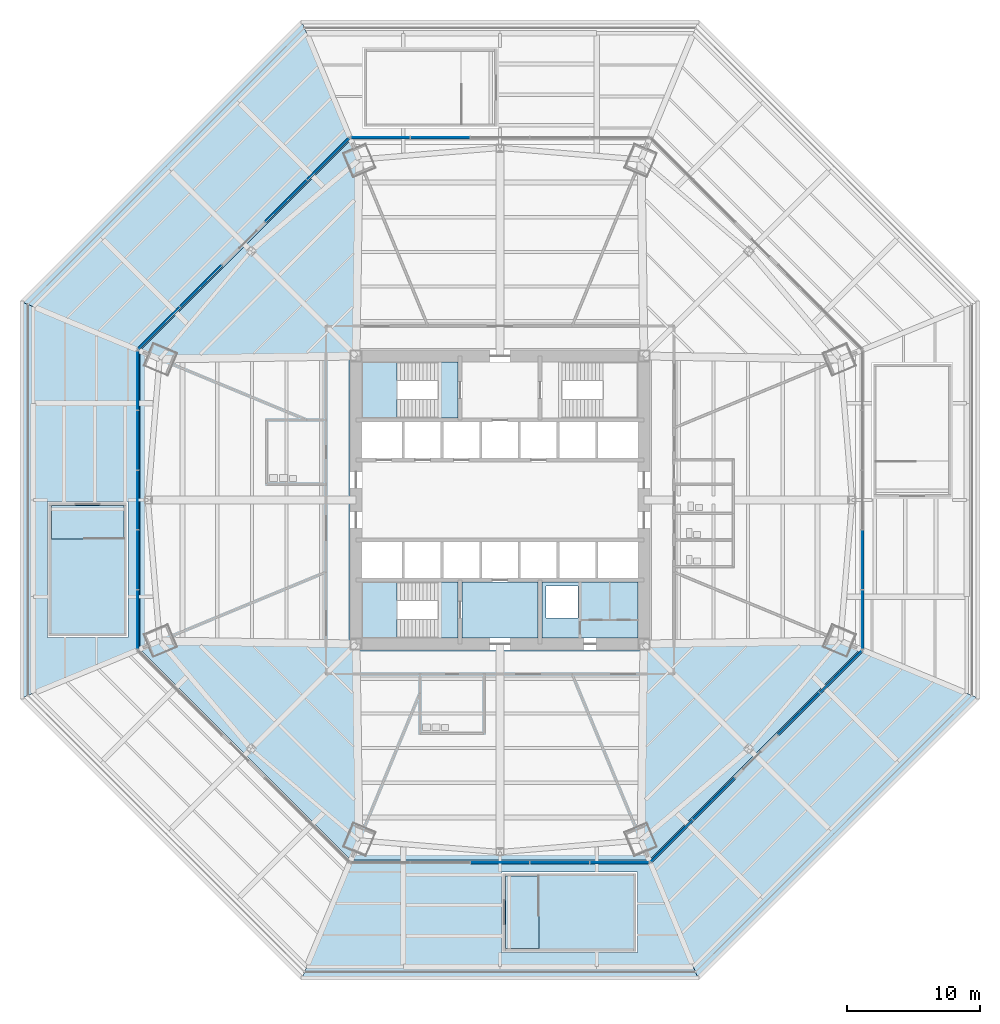
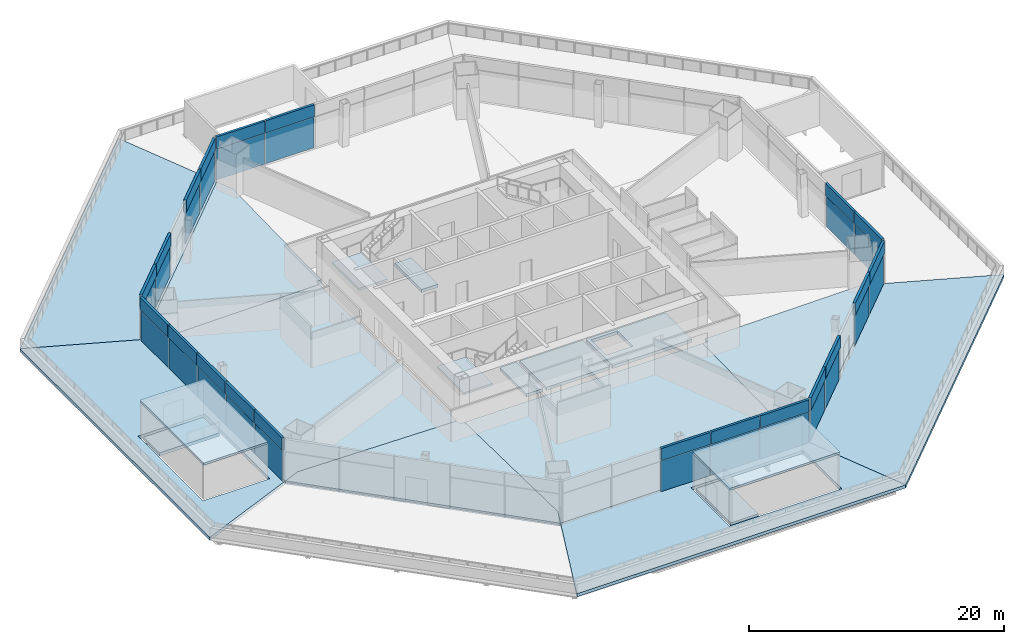
# One storey, part 13 of 25: 40 plates, 19 slabs, 10 elements without a shape of their own.
"""IFC4 building model written with IfcOpenShell, lengths in metres."""

from ifc_helpers import new_model, si_unit, direction, frame, origin, origin_2d, place, context, subcontext, project, spatial, polyline, rectangle, outline, extrude, source, transform, mapped, material, layer, layer_set, type_object, type_shapes, element, aggregate, save


model = new_model("IFC4")

# Units and contexts
model_context = context("Model", 3, precision=1e-05, world=origin(), true_north=direction((0.0, 1.0)))
body_context = subcontext(model_context, "Body", "Model", "MODEL_VIEW")
ifc_project = project(units=[si_unit("LENGTHUNIT", "METRE"), si_unit("AREAUNIT", "SQUARE_METRE"), si_unit("VOLUMEUNIT", "CUBIC_METRE"), si_unit("PLANEANGLEUNIT", "RADIAN"), si_unit("MASSUNIT", "GRAM", prefix="KILO")], contexts=[model_context])

# Site, building, storey
site_placement = place(None, origin())
site = spatial("IfcSite", under=ifc_project, at=site_placement, CompositionType="ELEMENT")
building_placement = place(site_placement, origin())
building = spatial("IfcBuilding", under=site, at=building_placement, Name="Mashrafa Tower", CompositionType="ELEMENT")
storey_placement = place(building_placement, frame((0.0, 0.0, 28.800048828125)))
storey = spatial("IfcBuildingStorey", under=building, at=storey_placement, Name="L05", CompositionType="ELEMENT", Elevation=28.800048828125)

# Slabs
ifc_material_1 = material(Name="Concrete C35/45", Category="concrete")
ifc_layer_1 = layer(ifc_material_1, 0.300048828125)
ifc_layer_set_1 = layer_set([ifc_layer_1], Name="Floor slab 300")
slab_type_1 = type_object("IfcSlabType", Name="Floor slab 300", PredefinedType="FLOOR", material=ifc_layer_set_1)
slab_1_placement = place(storey_placement, frame((0.0, 0.0, -0.300048828125)))
element("IfcSlab", 1, at=slab_1_placement, inside=storey, type_object=slab_type_1, Name="Floor slab L05 north-west bay", PredefinedType="FLOOR", context=body_context, shape_type="SweptSolid", body=[
    extrude(outline(polyline([(-11.183837890625, 27.0), (-10.574951171875, 25.5302734375), (-10.793212890625, 11.25), (-11.25, 11.25), (-11.25, 10.793212890625), (-25.5302734375, 10.574951171875), (-27.0, 11.183837890625), (-11.183837890625, 27.0)])), origin(), (0.0, 0.0, 1.0), 0.300048828125),
])
slab_2_placement = place(storey_placement, frame((0.0, 0.0, -0.300048828125)))
element("IfcSlab", 2, at=slab_2_placement, inside=storey, type_object=slab_type_1, Name="Floor slab L05 west bay", PredefinedType="FLOOR", context=body_context, shape_type="SweptSolid", body=[
    extrude(outline(polyline([(-27.0, -11.183837890625), (-27.0, 11.183837890625), (-27.0, 11.183837890625), (-25.5302734375, 10.574951171875), (-11.25, 10.793212890625), (-11.25, -10.793212890625), (-25.5302734375, -10.574951171875), (-27.0, -11.183837890625), (-27.0, -11.183837890625)])), origin(), (0.0, 0.0, 1.0), 0.300048828125),
])
slab_3_placement = place(storey_placement, frame((0.0, 0.0, -0.300048828125)))
element("IfcSlab", 3, at=slab_3_placement, inside=storey, type_object=slab_type_1, Name="Floor slab L05 south-west bay", PredefinedType="FLOOR", context=body_context, shape_type="SweptSolid", body=[
    extrude(outline(polyline([(-27.0, -11.183837890625), (-25.5302734375, -10.574951171875), (-11.25, -10.793212890625), (-11.25, -11.25), (-10.793212890625, -11.25), (-10.574951171875, -25.5302734375), (-11.183837890625, -27.0), (-27.0, -11.183837890625)])), origin(), (0.0, 0.0, 1.0), 0.300048828125),
])
slab_4_placement = place(storey_placement, frame((0.0, 0.0, -0.300048828125)))
element("IfcSlab", 4, at=slab_4_placement, inside=storey, type_object=slab_type_1, Name="Floor slab L05 south bay", PredefinedType="FLOOR", context=body_context, shape_type="SweptSolid", body=[
    extrude(outline(polyline([(-11.183837890625, -27.0), (-11.183837890625, -27.0), (-10.574951171875, -25.5302734375), (-10.793212890625, -11.25), (10.793212890625, -11.25), (10.574951171875, -25.5302734375), (11.183837890625, -27.0), (11.183837890625, -27.0), (-11.183837890625, -27.0)])), origin(), (0.0, 0.0, 1.0), 0.300048828125),
])
slab_5_placement = place(storey_placement, frame((0.0, 0.0, -0.300048828125)))
element("IfcSlab", 5, at=slab_5_placement, inside=storey, type_object=slab_type_1, Name="Floor slab L05 south-east bay", PredefinedType="FLOOR", context=body_context, shape_type="SweptSolid", body=[
    extrude(outline(polyline([(11.183837890625, -27.0), (10.574951171875, -25.5302734375), (10.793212890625, -11.25), (11.25, -11.25), (11.25, -10.793212890625), (25.5302734375, -10.574951171875), (27.0, -11.183837890625), (11.183837890625, -27.0)])), origin(), (0.0, 0.0, 1.0), 0.300048828125),
])
slab_6_placement = place(storey_placement, frame((0.0, 0.0, -0.300048828125)))
element("IfcSlab", 6, at=slab_6_placement, inside=storey, type_object=slab_type_1, Name="Core floor riser and electrical band L05", PredefinedType="FLOOR", context=body_context, shape_type="SweptSolid", body=[
    extrude(outline(polyline([(10.35009765625, -6.14990234375), (10.35009765625, -10.35009765625), (3.14990234375, -10.35009765625), (3.14990234375, -6.14990234375), (10.35009765625, -6.14990234375)]), holes=[polyline([(3.449951171875, -8.85009765625), (5.85009765625, -8.85009765625), (5.85009765625, -6.449951171875), (3.449951171875, -6.449951171875), (3.449951171875, -8.85009765625)])]), origin(), (0.0, 0.0, 1.0), 0.300048828125),
])
slab_7_placement = place(storey_placement, frame((0.0, 0.0, -0.300048828125)))
element("IfcSlab", 7, at=slab_7_placement, inside=storey, type_object=slab_type_1, Name="Core floor fire-fighting lobby south L05", PredefinedType="FLOOR", context=body_context, shape_type="SweptSolid", body=[
    extrude(outline(polyline([(2.85009765625, -6.14990234375), (2.85009765625, -10.35009765625), (-2.85009765625, -10.35009765625), (-2.85009765625, -6.14990234375), (2.85009765625, -6.14990234375)])), origin(), (0.0, 0.0, 1.0), 0.300048828125),
])
ifc_material_2 = material(Name="Concrete C35/45", Category="concrete")
ifc_layer_2 = layer(ifc_material_2, 0.300048828125)
ifc_layer_set_2 = layer_set([ifc_layer_2], Name="Roof garden slab 300")
slab_type_2 = type_object("IfcSlabType", Name="Roof garden slab 300", PredefinedType="ROOF", material=ifc_layer_set_2)
slab_8_placement = place(storey_placement, frame((0.0, 0.0, -0.300048828125)))
element("IfcSlab", 8, at=slab_8_placement, inside=storey, type_object=slab_type_2, Name="Podium roof garden slab north-west", PredefinedType="ROOF", context=body_context, shape_type="SweptSolid", body=[
    extrude(outline(polyline([(-14.91162109375, 36.0), (-11.183837890625, 27.0), (-27.0, 11.183837890625), (-36.0, 14.91162109375), (-14.91162109375, 36.0)])), origin(), (0.0, 0.0, 1.0), 0.300048828125),
])
slab_9_placement = place(storey_placement, frame((0.0, 0.0, -0.300048828125)))
element("IfcSlab", 9, at=slab_9_placement, inside=storey, type_object=slab_type_2, Name="Podium roof garden slab west", PredefinedType="ROOF", context=body_context, shape_type="SweptSolid", body=[
    extrude(outline(polyline([(-36.0, -14.91162109375), (-36.0, 14.91162109375), (-36.0, 14.91162109375), (-27.0, 11.183837890625), (-27.0, -11.183837890625), (-36.0, -14.91162109375)]), holes=[polyline([(-33.949951171875, -0.10009765625), (-33.949951171875, -10.300048828125), (-27.89990234375, -10.300048828125), (-27.89990234375, -0.10009765625), (-33.949951171875, -0.10009765625)])]), origin(), (0.0, 0.0, 1.0), 0.300048828125),
])
slab_10_placement = place(storey_placement, frame((0.0, 0.0, -0.300048828125)))
element("IfcSlab", 10, at=slab_10_placement, inside=storey, type_object=slab_type_2, Name="Podium roof garden slab south", PredefinedType="ROOF", context=body_context, shape_type="SweptSolid", body=[
    extrude(outline(polyline([(-14.91162109375, -36.0), (-11.183837890625, -27.0), (11.183837890625, -27.0), (14.91162109375, -36.0), (-14.91162109375, -36.0)]), holes=[polyline([(0.10009765625, -27.89990234375), (0.10009765625, -33.949951171875), (10.300048828125, -33.949951171875), (10.300048828125, -27.89990234375), (0.10009765625, -27.89990234375)])]), origin(), (0.0, 0.0, 1.0), 0.300048828125),
])
slab_11_placement = place(storey_placement, frame((0.0, 0.0, -0.300048828125)))
element("IfcSlab", 11, at=slab_11_placement, inside=storey, type_object=slab_type_2, Name="Podium roof garden slab south-east", PredefinedType="ROOF", context=body_context, shape_type="SweptSolid", body=[
    extrude(outline(polyline([(14.91162109375, -36.0), (11.183837890625, -27.0), (27.0, -11.183837890625), (36.0, -14.91162109375), (14.91162109375, -36.0)])), origin(), (0.0, 0.0, 1.0), 0.300048828125),
])
ifc_material_3 = material(Name="Concrete C40/50", Category="concrete")
ifc_layer_3 = layer(ifc_material_3, 0.199951171875)
ifc_layer_set_3 = layer_set([ifc_layer_3], Name="Stair head-house roof slab 200")
slab_type_3 = type_object("IfcSlabType", Name="Stair head-house roof slab 200", PredefinedType="ROOF", material=ifc_layer_set_3)
slab_12_placement = place(storey_placement, frame((0.0, 0.0, 3.300048828125)))
element("IfcSlab", 12, at=slab_12_placement, inside=storey, type_object=slab_type_3, Name="Stair P3 head-house roof", PredefinedType="ROOF", context=body_context, shape_type="SweptSolid", body=[
    extrude(outline(polyline([(-33.85009765625, -10.199951171875), (-28.0, -10.199951171875), (-28.0, -0.199951171875), (-33.85009765625, -0.199951171875), (-33.85009765625, -10.199951171875)])), origin(), (0.0, 0.0, 1.0), 0.199951171875),
])
slab_13_placement = place(storey_placement, frame((0.0, 0.0, 3.300048828125)))
element("IfcSlab", 13, at=slab_13_placement, inside=storey, type_object=slab_type_3, Name="Stair P4 head-house roof", PredefinedType="ROOF", context=body_context, shape_type="SweptSolid", body=[
    extrude(outline(polyline([(0.199951171875, -33.85009765625), (10.199951171875, -33.85009765625), (10.199951171875, -28.0), (0.199951171875, -28.0), (0.199951171875, -33.85009765625)])), origin(), (0.0, 0.0, 1.0), 0.199951171875),
])

# Stair, slab
ifc_material_4 = material(Name="Exit stair 1400")
stair_type = type_object("IfcStairType", Name="Exit stair 1400", PredefinedType="HALF_TURN_STAIR", material=ifc_material_4)
stair_1_placement = place(storey_placement, origin())
stair_1 = element("IfcStair", 14, at=stair_1_placement, inside=storey, type_object=stair_type, Name="Stair S1 L05", PredefinedType="HALF_TURN_STAIR")
ifc_material_5 = material(Name="Concrete C32/40", Category="concrete")
ifc_layer_4 = layer(ifc_material_5, 0.199951171875)
ifc_layer_set_4 = layer_set([ifc_layer_4], Name="Stair landing 200")
slab_type_4 = type_object("IfcSlabType", Name="Stair landing 200", PredefinedType="LANDING", material=ifc_layer_set_4)
slab_14_placement = place(storey_placement, frame((0.0, 0.0, 1.89990234375)))
slab_14 = element("IfcSlab", 15, at=slab_14_placement, type_object=slab_type_4, Name="S1 landing 2", PredefinedType="LANDING", context=body_context, shape_type="SweptSolid", body=[
    extrude(outline(polyline([(-10.35009765625, 6.14990234375), (-7.719970703125, 6.14990234375), (-7.719970703125, 10.35009765625), (-10.35009765625, 10.35009765625), (-10.35009765625, 6.14990234375)])), origin(), (0.0, 0.0, 1.0), 0.199951171875),
])

stair_2_placement = place(storey_placement, origin())
stair_2 = element("IfcStair", 16, at=stair_2_placement, inside=storey, type_object=stair_type, Name="Stair S3 L05", PredefinedType="HALF_TURN_STAIR")
slab_15_placement = place(storey_placement, frame((0.0, 0.0, 1.89990234375)))
slab_15 = element("IfcSlab", 17, at=slab_15_placement, type_object=slab_type_4, Name="S3 landing 2", PredefinedType="LANDING", context=body_context, shape_type="SweptSolid", body=[
    extrude(outline(polyline([(-10.35009765625, -10.35009765625), (-7.719970703125, -10.35009765625), (-7.719970703125, -6.14990234375), (-10.35009765625, -6.14990234375), (-10.35009765625, -10.35009765625)])), origin(), (0.0, 0.0, 1.0), 0.199951171875),
])

# Slab
ifc_material_6 = material(Name="Concrete C32/40", Category="concrete")
ifc_layer_5 = layer(ifc_material_6, 0.300048828125)
ifc_layer_set_5 = layer_set([ifc_layer_5], Name="Stair landing 300")
slab_type_5 = type_object("IfcSlabType", Name="Stair landing 300", PredefinedType="LANDING", material=ifc_layer_set_5)
slab_16_placement = place(storey_placement, frame((0.0, 0.0, -0.300048828125)))
slab_16 = element("IfcSlab", 18, at=slab_16_placement, type_object=slab_type_5, Name="S1 landing 1", PredefinedType="LANDING", context=body_context, shape_type="SweptSolid", body=[
    extrude(outline(polyline([(-4.659912109375, 6.14990234375), (-3.14990234375, 6.14990234375), (-3.14990234375, 10.35009765625), (-4.659912109375, 10.35009765625), (-4.659912109375, 6.14990234375)])), origin(), (0.0, 0.0, 1.0), 0.300048828125),
])

aggregate(stair_1, [slab_16, slab_14])

slab_17_placement = place(storey_placement, frame((0.0, 0.0, -0.300048828125)))
slab_17 = element("IfcSlab", 19, at=slab_17_placement, type_object=slab_type_5, Name="S3 landing 1", PredefinedType="LANDING", context=body_context, shape_type="SweptSolid", body=[
    extrude(outline(polyline([(-4.659912109375, -10.35009765625), (-3.14990234375, -10.35009765625), (-3.14990234375, -6.14990234375), (-4.659912109375, -6.14990234375), (-4.659912109375, -10.35009765625)])), origin(), (0.0, 0.0, 1.0), 0.300048828125),
])

aggregate(stair_2, [slab_17, slab_15])

# Slabs
slab_18_placement = place(storey_placement, frame((0.0, 0.0, -0.300048828125)))
element("IfcSlab", 20, at=slab_18_placement, inside=storey, type_object=slab_type_5, Name="Stair P3 landing L05", PredefinedType="LANDING", context=body_context, shape_type="SweptSolid", body=[
    extrude(outline(polyline([(-28.199951171875, -2.909912109375), (-28.199951171875, -0.39990234375), (-33.64990234375, -0.39990234375), (-33.64990234375, -2.909912109375), (-28.199951171875, -2.909912109375)])), origin(), (0.0, 0.0, 1.0), 0.300048828125),
])
slab_19_placement = place(storey_placement, frame((0.0, 0.0, -0.300048828125)))
element("IfcSlab", 21, at=slab_19_placement, inside=storey, type_object=slab_type_5, Name="Stair P4 landing L05", PredefinedType="LANDING", context=body_context, shape_type="SweptSolid", body=[
    extrude(outline(polyline([(0.39990234375, -33.64990234375), (2.909912109375, -33.64990234375), (2.909912109375, -28.199951171875), (0.39990234375, -28.199951171875), (0.39990234375, -33.64990234375)])), origin(), (0.0, 0.0, 1.0), 0.300048828125),
])

# Curtain wall, plate
ifc_material_7 = material(Name="Unitised aluminium curtain wall", Category="aluminium")
curtain_wall_type = type_object("IfcCurtainWallType", Name="Office curtain wall, zone 1 CW-A 200 deep", PredefinedType="NOTDEFINED", material=ifc_material_7)
curtain_wall_1_placement = place(storey_placement, origin())
curtain_wall_1 = element("IfcCurtainWall", 22, at=curtain_wall_1_placement, inside=storey, type_object=curtain_wall_type, Name="Office curtain wall, zone 1 L05 east", PredefinedType="NOTDEFINED")
ifc_material_8 = material(Name="Insulated double glazing, low-e, neutral", Category="glass")
ifc_layer_6 = layer(ifc_material_8, 0.028076171875)
ifc_layer_set_6 = layer_set([ifc_layer_6], Name="Vision panel CW-A 28")
plate_type_1 = type_object("IfcPlateType", Name="Vision panel CW-A 28", PredefinedType="CURTAIN_PANEL", material=ifc_layer_set_6)
shared_shape_1 = source(origin(), body_context, "Body", "SweptSolid", [
    extrude(rectangle(XDim=4.388671875, YDim=0.028076171875, at=origin_2d()), origin(), (0.0, 0.0, 1.0), 2.9599609375),
])
plate_1_placement = place(storey_placement, frame((27.199951171875, -8.955810546875, 0.0), z_axis=(0.0, 0.0, 1.0), x_axis=(0.0, 1.0, 0.0)))
plate_1 = element("IfcPlate", 23, at=plate_1_placement, type_object=plate_type_1, Name="CW-A vision panel 1", PredefinedType="CURTAIN_PANEL", context=body_context, shape_type="MappedRepresentation", body=[
    mapped(shared_shape_1, transform((0.0, 0.0, 0.0))),
])

curtain_wall_2_placement = place(storey_placement, origin())
curtain_wall_2 = element("IfcCurtainWall", 24, at=curtain_wall_2_placement, inside=storey, type_object=curtain_wall_type, Name="Office curtain wall, zone 1 L05 north", PredefinedType="NOTDEFINED")
plate_2_placement = place(storey_placement, frame((-8.955810546875, 27.199951171875, 0.0), z_axis=(0.0, 0.0, 1.0), x_axis=(-1.0, 0.0, 0.0)))
plate_2 = element("IfcPlate", 25, at=plate_2_placement, type_object=plate_type_1, Name="CW-A vision panel 5", PredefinedType="CURTAIN_PANEL", context=body_context, shape_type="MappedRepresentation", body=[
    mapped(shared_shape_1, transform((0.0, 0.0, 0.0))),
])

# Curtain wall, plates
curtain_wall_3_placement = place(storey_placement, origin())
curtain_wall_3 = element("IfcCurtainWall", 26, at=curtain_wall_3_placement, inside=storey, type_object=curtain_wall_type, Name="Office curtain wall, zone 1 L05 north-west part 1", PredefinedType="NOTDEFINED")
plate_3_placement = place(storey_placement, frame((-12.900634765625, 25.566162109375, 0.0), z_axis=(0.0, 0.0, 1.0), x_axis=(-0.707106781187, -0.707106781187, 0.0)))
plate_3 = element("IfcPlate", 27, at=plate_3_placement, type_object=plate_type_1, Name="CW-A vision panel 1", PredefinedType="CURTAIN_PANEL", context=body_context, shape_type="MappedRepresentation", body=[
    mapped(shared_shape_1, transform((0.0, 0.0, 0.0))),
])
plate_4_placement = place(storey_placement, frame((-16.049560546875, 22.4169921875, 0.0), z_axis=(0.0, 0.0, 1.0), x_axis=(-0.707106781187, -0.707106781187, 0.0)))
plate_4 = element("IfcPlate", 28, at=plate_4_placement, type_object=plate_type_1, Name="CW-A vision panel 2", PredefinedType="CURTAIN_PANEL", context=body_context, shape_type="MappedRepresentation", body=[
    mapped(shared_shape_1, transform((0.0, 0.0, 0.0))),
])

curtain_wall_4_placement = place(storey_placement, origin())
curtain_wall_4 = element("IfcCurtainWall", 29, at=curtain_wall_4_placement, inside=storey, type_object=curtain_wall_type, Name="Office curtain wall, zone 1 L05 north-west part 2", PredefinedType="NOTDEFINED")
plate_5_placement = place(storey_placement, frame((-22.4169921875, 16.049560546875, 0.0), z_axis=(0.0, 0.0, 1.0), x_axis=(-0.707106781187, -0.707106781187, 0.0)))
plate_5 = element("IfcPlate", 30, at=plate_5_placement, type_object=plate_type_1, Name="CW-A vision panel 1", PredefinedType="CURTAIN_PANEL", context=body_context, shape_type="MappedRepresentation", body=[
    mapped(shared_shape_1, transform((0.0, 0.0, 0.0))),
])
plate_6_placement = place(storey_placement, frame((-25.566162109375, 12.900634765625, 0.0), z_axis=(0.0, 0.0, 1.0), x_axis=(-0.707106781187, -0.707106781187, 0.0)))
plate_6 = element("IfcPlate", 31, at=plate_6_placement, type_object=plate_type_1, Name="CW-A vision panel 2", PredefinedType="CURTAIN_PANEL", context=body_context, shape_type="MappedRepresentation", body=[
    mapped(shared_shape_1, transform((0.0, 0.0, 0.0))),
])

curtain_wall_5_placement = place(storey_placement, origin())
curtain_wall_5 = element("IfcCurtainWall", 32, at=curtain_wall_5_placement, inside=storey, type_object=curtain_wall_type, Name="Office curtain wall, zone 1 L05 west", PredefinedType="NOTDEFINED")
plate_7_placement = place(storey_placement, frame((-27.199951171875, 8.955810546875, 0.0), z_axis=(0.0, 0.0, 1.0), x_axis=(0.0, -1.0, 0.0)))
plate_7 = element("IfcPlate", 33, at=plate_7_placement, type_object=plate_type_1, Name="CW-A vision panel 1", PredefinedType="CURTAIN_PANEL", context=body_context, shape_type="MappedRepresentation", body=[
    mapped(shared_shape_1, transform((0.0, 0.0, 0.0))),
])
plate_8_placement = place(storey_placement, frame((-27.199951171875, -8.955810546875, 0.0), z_axis=(0.0, 0.0, 1.0), x_axis=(0.0, -1.0, 0.0)))
plate_8 = element("IfcPlate", 34, at=plate_8_placement, type_object=plate_type_1, Name="CW-A vision panel 5", PredefinedType="CURTAIN_PANEL", context=body_context, shape_type="MappedRepresentation", body=[
    mapped(shared_shape_1, transform((0.0, 0.0, 0.0))),
])

# Curtain wall, plate
curtain_wall_6_placement = place(storey_placement, origin())
curtain_wall_6 = element("IfcCurtainWall", 35, at=curtain_wall_6_placement, inside=storey, type_object=curtain_wall_type, Name="Office curtain wall, zone 1 L05 south", PredefinedType="NOTDEFINED")
plate_9_placement = place(storey_placement, frame((8.955810546875, -27.199951171875, 0.0), z_axis=(0.0, 0.0, 1.0), x_axis=(1.0, 0.0, 0.0)))
plate_9 = element("IfcPlate", 36, at=plate_9_placement, type_object=plate_type_1, Name="CW-A vision panel 5", PredefinedType="CURTAIN_PANEL", context=body_context, shape_type="MappedRepresentation", body=[
    mapped(shared_shape_1, transform((0.0, 0.0, 0.0))),
])

# Curtain wall, plates
curtain_wall_7_placement = place(storey_placement, origin())
curtain_wall_7 = element("IfcCurtainWall", 37, at=curtain_wall_7_placement, inside=storey, type_object=curtain_wall_type, Name="Office curtain wall, zone 1 L05 south-east part 1", PredefinedType="NOTDEFINED")
plate_10_placement = place(storey_placement, frame((12.900634765625, -25.566162109375, 0.0), z_axis=(0.0, 0.0, 1.0), x_axis=(0.707106781187, 0.707106781187, 0.0)))
plate_10 = element("IfcPlate", 38, at=plate_10_placement, type_object=plate_type_1, Name="CW-A vision panel 1", PredefinedType="CURTAIN_PANEL", context=body_context, shape_type="MappedRepresentation", body=[
    mapped(shared_shape_1, transform((0.0, 0.0, 0.0))),
])
plate_11_placement = place(storey_placement, frame((16.049560546875, -22.4169921875, 0.0), z_axis=(0.0, 0.0, 1.0), x_axis=(0.707106781187, 0.707106781187, 0.0)))
plate_11 = element("IfcPlate", 39, at=plate_11_placement, type_object=plate_type_1, Name="CW-A vision panel 2", PredefinedType="CURTAIN_PANEL", context=body_context, shape_type="MappedRepresentation", body=[
    mapped(shared_shape_1, transform((0.0, 0.0, 0.0))),
])

curtain_wall_8_placement = place(storey_placement, origin())
curtain_wall_8 = element("IfcCurtainWall", 40, at=curtain_wall_8_placement, inside=storey, type_object=curtain_wall_type, Name="Office curtain wall, zone 1 L05 south-east part 2", PredefinedType="NOTDEFINED")
plate_12_placement = place(storey_placement, frame((22.4169921875, -16.049560546875, 0.0), z_axis=(0.0, 0.0, 1.0), x_axis=(0.707106781187, 0.707106781187, 0.0)))
plate_12 = element("IfcPlate", 41, at=plate_12_placement, type_object=plate_type_1, Name="CW-A vision panel 1", PredefinedType="CURTAIN_PANEL", context=body_context, shape_type="MappedRepresentation", body=[
    mapped(shared_shape_1, transform((0.0, 0.0, 0.0))),
])
plate_13_placement = place(storey_placement, frame((25.566162109375, -12.900634765625, 0.0), z_axis=(0.0, 0.0, 1.0), x_axis=(0.707106781187, 0.707106781187, 0.0)))
plate_13 = element("IfcPlate", 42, at=plate_13_placement, type_object=plate_type_1, Name="CW-A vision panel 2", PredefinedType="CURTAIN_PANEL", context=body_context, shape_type="MappedRepresentation", body=[
    mapped(shared_shape_1, transform((0.0, 0.0, 0.0))),
])

# Plate
ifc_material_9 = material(Name="Insulated aluminium spandrel panel", Category="aluminium")
ifc_layer_7 = layer(ifc_material_9, 0.219970703125)
ifc_layer_set_7 = layer_set([ifc_layer_7], Name="Spandrel panel CW-A 220")
plate_type_2 = type_object("IfcPlateType", Name="Spandrel panel CW-A 220", PredefinedType="CURTAIN_PANEL", material=ifc_layer_set_7)
shared_shape_2 = source(origin(), body_context, "Body", "SweptSolid", [
    extrude(rectangle(XDim=4.388671875, YDim=0.219970703125, at=origin_2d()), origin(), (0.0, 0.0, 1.0), 1.159912109375),
])
plate_14_placement = place(storey_placement, frame((27.199951171875, -8.955810546875, 3.0400390625), z_axis=(0.0, 0.0, 1.0), x_axis=(0.0, 1.0, 0.0)))
plate_14 = element("IfcPlate", 43, at=plate_14_placement, type_object=plate_type_2, Name="CW-A spandrel panel 1", PredefinedType="CURTAIN_PANEL", context=body_context, shape_type="MappedRepresentation", body=[
    mapped(shared_shape_2, transform((0.0, 0.0, 0.0))),
])

plate_15_placement = place(storey_placement, frame((-8.955810546875, 27.199951171875, 3.0400390625), z_axis=(0.0, 0.0, 1.0), x_axis=(-1.0, 0.0, 0.0)))
plate_15 = element("IfcPlate", 44, at=plate_15_placement, type_object=plate_type_2, Name="CW-A spandrel panel 5", PredefinedType="CURTAIN_PANEL", context=body_context, shape_type="MappedRepresentation", body=[
    mapped(shared_shape_2, transform((0.0, 0.0, 0.0))),
])

plate_16_placement = place(storey_placement, frame((-12.900634765625, 25.566162109375, 3.0400390625), z_axis=(0.0, 0.0, 1.0), x_axis=(-0.707106781187, -0.707106781187, 0.0)))
plate_16 = element("IfcPlate", 45, at=plate_16_placement, type_object=plate_type_2, Name="CW-A spandrel panel 1", PredefinedType="CURTAIN_PANEL", context=body_context, shape_type="MappedRepresentation", body=[
    mapped(shared_shape_2, transform((0.0, 0.0, 0.0))),
])

plate_17_placement = place(storey_placement, frame((-16.049560546875, 22.4169921875, 3.0400390625), z_axis=(0.0, 0.0, 1.0), x_axis=(-0.707106781187, -0.707106781187, 0.0)))
plate_17 = element("IfcPlate", 46, at=plate_17_placement, type_object=plate_type_2, Name="CW-A spandrel panel 2", PredefinedType="CURTAIN_PANEL", context=body_context, shape_type="MappedRepresentation", body=[
    mapped(shared_shape_2, transform((0.0, 0.0, 0.0))),
])

aggregate(curtain_wall_3, [plate_3, plate_16, plate_4, plate_17])

plate_18_placement = place(storey_placement, frame((-22.4169921875, 16.049560546875, 3.0400390625), z_axis=(0.0, 0.0, 1.0), x_axis=(-0.707106781187, -0.707106781187, 0.0)))
plate_18 = element("IfcPlate", 47, at=plate_18_placement, type_object=plate_type_2, Name="CW-A spandrel panel 1", PredefinedType="CURTAIN_PANEL", context=body_context, shape_type="MappedRepresentation", body=[
    mapped(shared_shape_2, transform((0.0, 0.0, 0.0))),
])

plate_19_placement = place(storey_placement, frame((-25.566162109375, 12.900634765625, 3.0400390625), z_axis=(0.0, 0.0, 1.0), x_axis=(-0.707106781187, -0.707106781187, 0.0)))
plate_19 = element("IfcPlate", 48, at=plate_19_placement, type_object=plate_type_2, Name="CW-A spandrel panel 2", PredefinedType="CURTAIN_PANEL", context=body_context, shape_type="MappedRepresentation", body=[
    mapped(shared_shape_2, transform((0.0, 0.0, 0.0))),
])

aggregate(curtain_wall_4, [plate_5, plate_18, plate_6, plate_19])

plate_20_placement = place(storey_placement, frame((-27.199951171875, 8.955810546875, 3.0400390625), z_axis=(0.0, 0.0, 1.0), x_axis=(0.0, -1.0, 0.0)))
plate_20 = element("IfcPlate", 49, at=plate_20_placement, type_object=plate_type_2, Name="CW-A spandrel panel 1", PredefinedType="CURTAIN_PANEL", context=body_context, shape_type="MappedRepresentation", body=[
    mapped(shared_shape_2, transform((0.0, 0.0, 0.0))),
])

plate_21_placement = place(storey_placement, frame((-27.199951171875, -8.955810546875, 3.0400390625), z_axis=(0.0, 0.0, 1.0), x_axis=(0.0, -1.0, 0.0)))
plate_21 = element("IfcPlate", 50, at=plate_21_placement, type_object=plate_type_2, Name="CW-A spandrel panel 5", PredefinedType="CURTAIN_PANEL", context=body_context, shape_type="MappedRepresentation", body=[
    mapped(shared_shape_2, transform((0.0, 0.0, 0.0))),
])

plate_22_placement = place(storey_placement, frame((8.955810546875, -27.199951171875, 3.0400390625), z_axis=(0.0, 0.0, 1.0), x_axis=(1.0, 0.0, 0.0)))
plate_22 = element("IfcPlate", 51, at=plate_22_placement, type_object=plate_type_2, Name="CW-A spandrel panel 5", PredefinedType="CURTAIN_PANEL", context=body_context, shape_type="MappedRepresentation", body=[
    mapped(shared_shape_2, transform((0.0, 0.0, 0.0))),
])

plate_23_placement = place(storey_placement, frame((12.900634765625, -25.566162109375, 3.0400390625), z_axis=(0.0, 0.0, 1.0), x_axis=(0.707106781187, 0.707106781187, 0.0)))
plate_23 = element("IfcPlate", 52, at=plate_23_placement, type_object=plate_type_2, Name="CW-A spandrel panel 1", PredefinedType="CURTAIN_PANEL", context=body_context, shape_type="MappedRepresentation", body=[
    mapped(shared_shape_2, transform((0.0, 0.0, 0.0))),
])

plate_24_placement = place(storey_placement, frame((16.049560546875, -22.4169921875, 3.0400390625), z_axis=(0.0, 0.0, 1.0), x_axis=(0.707106781187, 0.707106781187, 0.0)))
plate_24 = element("IfcPlate", 53, at=plate_24_placement, type_object=plate_type_2, Name="CW-A spandrel panel 2", PredefinedType="CURTAIN_PANEL", context=body_context, shape_type="MappedRepresentation", body=[
    mapped(shared_shape_2, transform((0.0, 0.0, 0.0))),
])

aggregate(curtain_wall_7, [plate_10, plate_23, plate_11, plate_24])

plate_25_placement = place(storey_placement, frame((22.4169921875, -16.049560546875, 3.0400390625), z_axis=(0.0, 0.0, 1.0), x_axis=(0.707106781187, 0.707106781187, 0.0)))
plate_25 = element("IfcPlate", 54, at=plate_25_placement, type_object=plate_type_2, Name="CW-A spandrel panel 1", PredefinedType="CURTAIN_PANEL", context=body_context, shape_type="MappedRepresentation", body=[
    mapped(shared_shape_2, transform((0.0, 0.0, 0.0))),
])

plate_26_placement = place(storey_placement, frame((25.566162109375, -12.900634765625, 3.0400390625), z_axis=(0.0, 0.0, 1.0), x_axis=(0.707106781187, 0.707106781187, 0.0)))
plate_26 = element("IfcPlate", 55, at=plate_26_placement, type_object=plate_type_2, Name="CW-A spandrel panel 2", PredefinedType="CURTAIN_PANEL", context=body_context, shape_type="MappedRepresentation", body=[
    mapped(shared_shape_2, transform((0.0, 0.0, 0.0))),
])

aggregate(curtain_wall_8, [plate_12, plate_25, plate_13, plate_26])

shared_shape_3 = source(origin(), body_context, "Body", "SweptSolid", [
    extrude(rectangle(XDim=4.421142578125, YDim=0.028076171875, at=origin_2d()), origin(), (0.0, 0.0, 1.0), 2.9599609375),
])
type_shapes(plate_type_1, [shared_shape_1, shared_shape_3])
plate_27_placement = place(storey_placement, frame((27.199951171875, -4.486083984375, 0.0), z_axis=(0.0, 0.0, 1.0), x_axis=(0.0, 1.0, 0.0)))
plate_27 = element("IfcPlate", 56, at=plate_27_placement, type_object=plate_type_1, Name="CW-A vision panel 2", PredefinedType="CURTAIN_PANEL", context=body_context, shape_type="MappedRepresentation", body=[
    mapped(shared_shape_3, transform((0.0, 0.0, 0.0))),
])

plate_28_placement = place(storey_placement, frame((-4.486083984375, 27.199951171875, 0.0), z_axis=(0.0, 0.0, 1.0), x_axis=(-1.0, 0.0, 0.0)))
plate_28 = element("IfcPlate", 57, at=plate_28_placement, type_object=plate_type_1, Name="CW-A vision panel 4", PredefinedType="CURTAIN_PANEL", context=body_context, shape_type="MappedRepresentation", body=[
    mapped(shared_shape_3, transform((0.0, 0.0, 0.0))),
])

plate_29_placement = place(storey_placement, frame((-27.199951171875, 4.486083984375, 0.0), z_axis=(0.0, 0.0, 1.0), x_axis=(0.0, -1.0, 0.0)))
plate_29 = element("IfcPlate", 58, at=plate_29_placement, type_object=plate_type_1, Name="CW-A vision panel 2", PredefinedType="CURTAIN_PANEL", context=body_context, shape_type="MappedRepresentation", body=[
    mapped(shared_shape_3, transform((0.0, 0.0, 0.0))),
])

plate_30_placement = place(storey_placement, frame((-27.199951171875, 0.0, 0.0), z_axis=(0.0, 0.0, 1.0), x_axis=(0.0, -1.0, 0.0)))
plate_30 = element("IfcPlate", 59, at=plate_30_placement, type_object=plate_type_1, Name="CW-A vision panel 3", PredefinedType="CURTAIN_PANEL", context=body_context, shape_type="MappedRepresentation", body=[
    mapped(shared_shape_3, transform((0.0, 0.0, 0.0))),
])

plate_31_placement = place(storey_placement, frame((-27.199951171875, -4.486083984375, 0.0), z_axis=(0.0, 0.0, 1.0), x_axis=(0.0, -1.0, 0.0)))
plate_31 = element("IfcPlate", 60, at=plate_31_placement, type_object=plate_type_1, Name="CW-A vision panel 4", PredefinedType="CURTAIN_PANEL", context=body_context, shape_type="MappedRepresentation", body=[
    mapped(shared_shape_3, transform((0.0, 0.0, 0.0))),
])

plate_32_placement = place(storey_placement, frame((0.0, -27.199951171875, 0.0), z_axis=(0.0, 0.0, 1.0), x_axis=(1.0, 0.0, 0.0)))
plate_32 = element("IfcPlate", 61, at=plate_32_placement, type_object=plate_type_1, Name="CW-A vision panel 3", PredefinedType="CURTAIN_PANEL", context=body_context, shape_type="MappedRepresentation", body=[
    mapped(shared_shape_3, transform((0.0, 0.0, 0.0))),
])

plate_33_placement = place(storey_placement, frame((4.486083984375, -27.199951171875, 0.0), z_axis=(0.0, 0.0, 1.0), x_axis=(1.0, 0.0, 0.0)))
plate_33 = element("IfcPlate", 62, at=plate_33_placement, type_object=plate_type_1, Name="CW-A vision panel 4", PredefinedType="CURTAIN_PANEL", context=body_context, shape_type="MappedRepresentation", body=[
    mapped(shared_shape_3, transform((0.0, 0.0, 0.0))),
])

shared_shape_4 = source(origin(), body_context, "Body", "SweptSolid", [
    extrude(rectangle(XDim=4.421142578125, YDim=0.219970703125, at=origin_2d()), origin(), (0.0, 0.0, 1.0), 1.159912109375),
])
type_shapes(plate_type_2, [shared_shape_2, shared_shape_4])
plate_34_placement = place(storey_placement, frame((27.199951171875, -4.486083984375, 3.0400390625), z_axis=(0.0, 0.0, 1.0), x_axis=(0.0, 1.0, 0.0)))
plate_34 = element("IfcPlate", 63, at=plate_34_placement, type_object=plate_type_2, Name="CW-A spandrel panel 2", PredefinedType="CURTAIN_PANEL", context=body_context, shape_type="MappedRepresentation", body=[
    mapped(shared_shape_4, transform((0.0, 0.0, 0.0))),
])

aggregate(curtain_wall_1, [plate_1, plate_14, plate_27, plate_34])

plate_35_placement = place(storey_placement, frame((-4.486083984375, 27.199951171875, 3.0400390625), z_axis=(0.0, 0.0, 1.0), x_axis=(-1.0, 0.0, 0.0)))
plate_35 = element("IfcPlate", 64, at=plate_35_placement, type_object=plate_type_2, Name="CW-A spandrel panel 4", PredefinedType="CURTAIN_PANEL", context=body_context, shape_type="MappedRepresentation", body=[
    mapped(shared_shape_4, transform((0.0, 0.0, 0.0))),
])

aggregate(curtain_wall_2, [plate_28, plate_35, plate_2, plate_15])

plate_36_placement = place(storey_placement, frame((-27.199951171875, 4.486083984375, 3.0400390625), z_axis=(0.0, 0.0, 1.0), x_axis=(0.0, -1.0, 0.0)))
plate_36 = element("IfcPlate", 65, at=plate_36_placement, type_object=plate_type_2, Name="CW-A spandrel panel 2", PredefinedType="CURTAIN_PANEL", context=body_context, shape_type="MappedRepresentation", body=[
    mapped(shared_shape_4, transform((0.0, 0.0, 0.0))),
])

plate_37_placement = place(storey_placement, frame((-27.199951171875, 0.0, 3.0400390625), z_axis=(0.0, 0.0, 1.0), x_axis=(0.0, -1.0, 0.0)))
plate_37 = element("IfcPlate", 66, at=plate_37_placement, type_object=plate_type_2, Name="CW-A spandrel panel 3", PredefinedType="CURTAIN_PANEL", context=body_context, shape_type="MappedRepresentation", body=[
    mapped(shared_shape_4, transform((0.0, 0.0, 0.0))),
])

plate_38_placement = place(storey_placement, frame((-27.199951171875, -4.486083984375, 3.0400390625), z_axis=(0.0, 0.0, 1.0), x_axis=(0.0, -1.0, 0.0)))
plate_38 = element("IfcPlate", 67, at=plate_38_placement, type_object=plate_type_2, Name="CW-A spandrel panel 4", PredefinedType="CURTAIN_PANEL", context=body_context, shape_type="MappedRepresentation", body=[
    mapped(shared_shape_4, transform((0.0, 0.0, 0.0))),
])

aggregate(curtain_wall_5, [plate_7, plate_20, plate_29, plate_36, plate_30, plate_37, plate_31, plate_38, plate_8, plate_21])

plate_39_placement = place(storey_placement, frame((0.0, -27.199951171875, 3.0400390625), z_axis=(0.0, 0.0, 1.0), x_axis=(1.0, 0.0, 0.0)))
plate_39 = element("IfcPlate", 68, at=plate_39_placement, type_object=plate_type_2, Name="CW-A spandrel panel 3", PredefinedType="CURTAIN_PANEL", context=body_context, shape_type="MappedRepresentation", body=[
    mapped(shared_shape_4, transform((0.0, 0.0, 0.0))),
])

plate_40_placement = place(storey_placement, frame((4.486083984375, -27.199951171875, 3.0400390625), z_axis=(0.0, 0.0, 1.0), x_axis=(1.0, 0.0, 0.0)))
plate_40 = element("IfcPlate", 69, at=plate_40_placement, type_object=plate_type_2, Name="CW-A spandrel panel 4", PredefinedType="CURTAIN_PANEL", context=body_context, shape_type="MappedRepresentation", body=[
    mapped(shared_shape_4, transform((0.0, 0.0, 0.0))),
])

aggregate(curtain_wall_6, [plate_32, plate_39, plate_33, plate_40, plate_9, plate_22])

save(model, "model.ifc")
